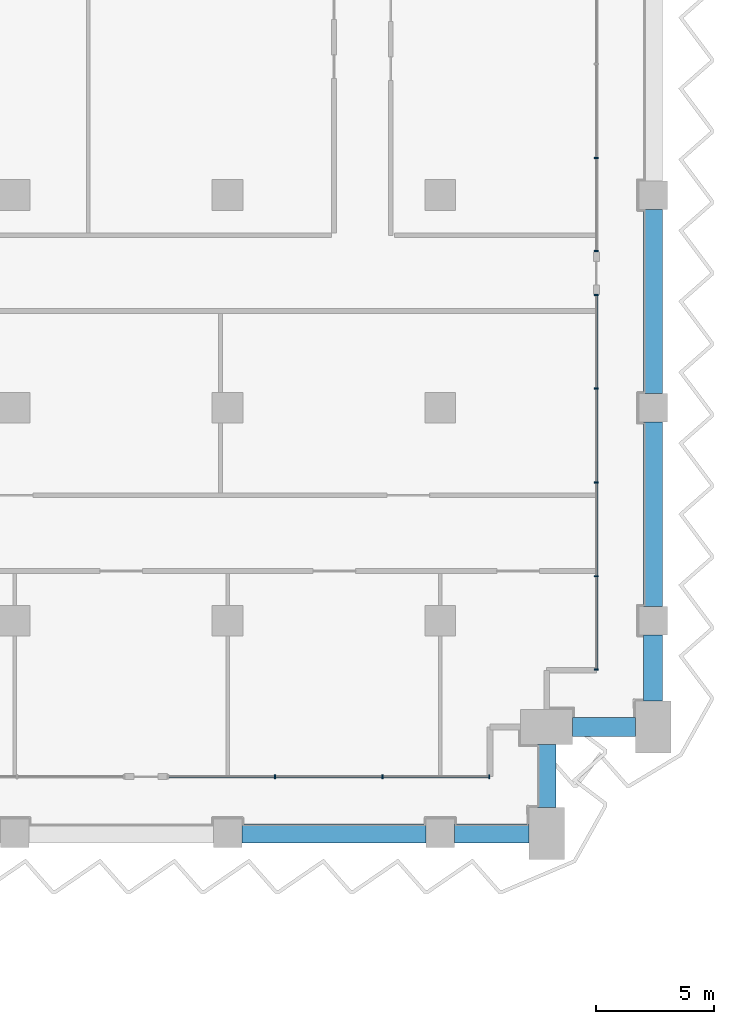
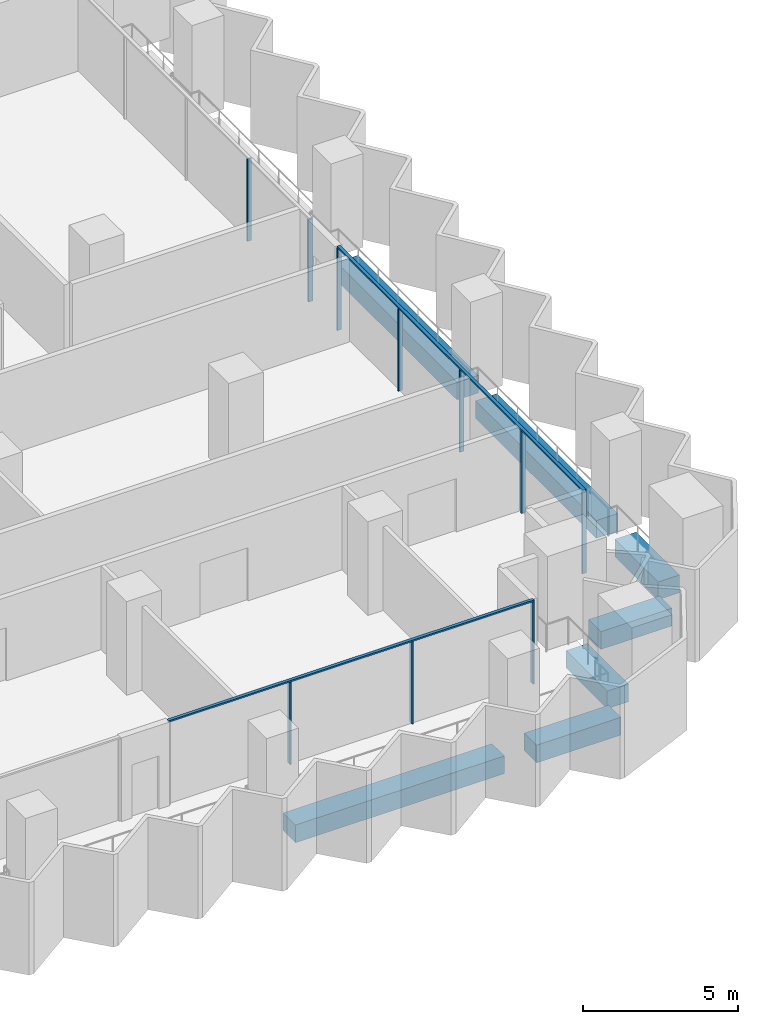
# One storey, part 5 of 23: 12 members, 7 beams, 3 elements without a shape of their own.
"""IFC4 building model written with IfcOpenShell, lengths in metres."""

from ifc_helpers import new_model, si_unit, direction, frame, origin, origin_2d, place, context, subcontext, project, spatial, rectangle, extrude, material, material_profile, profile_set, type_object, element, aggregate, save


model = new_model("IFC4")

# Units and contexts
model_context = context("Model", 3, precision=1e-05, world=origin(), true_north=direction((0.0, 1.0)))
body_context = subcontext(model_context, "Body", "Model", "MODEL_VIEW")
ifc_project = project(units=[si_unit("LENGTHUNIT", "METRE"), si_unit("AREAUNIT", "SQUARE_METRE"), si_unit("VOLUMEUNIT", "CUBIC_METRE"), si_unit("PLANEANGLEUNIT", "RADIAN"), si_unit("MASSUNIT", "GRAM", prefix="KILO")], contexts=[model_context])

# Site, building, storey
site_placement = place(None, origin())
site = spatial("IfcSite", under=ifc_project, at=site_placement, CompositionType="ELEMENT")
building_placement = place(site_placement, origin())
building = spatial("IfcBuilding", under=site, at=building_placement, Name="Hunhe Ridgeline Campus", CompositionType="ELEMENT")
storey_placement = place(building_placement, frame((0.0, 0.0, 110.699951171875)))
storey = spatial("IfcBuildingStorey", under=building, at=storey_placement, Name="L27", CompositionType="ELEMENT", Elevation=110.699951171875)

# Curtain wall, members
ifc_material_1 = material(Name="Aluminium 6063", Category="aluminium")
curtain_wall_type = type_object("IfcCurtainWallType", Name="Curtain wall CW-1", PredefinedType="NOTDEFINED", material=ifc_material_1)
curtain_wall_1_placement = place(storey_placement, origin())
curtain_wall_1 = element("IfcCurtainWall", 1, at=curtain_wall_1_placement, inside=storey, type_object=curtain_wall_type, Name="Curtain wall 14", PredefinedType="NOTDEFINED")
ifc_material_profile_1 = material_profile(ifc_material_1, rectangle(XDim=0.159912109375, YDim=0.06005859375, at=origin_2d()))
ifc_profile_set_1 = profile_set([ifc_material_profile_1], Name="Aluminium 6063")
member_type_1 = type_object("IfcMemberType", Name="CW-1 aluminium mullion", PredefinedType="MULLION", material=ifc_profile_set_1)
member_1_placement = place(storey_placement, frame((64.999267578125, 56.40087890625, 0.0), z_axis=(0.0, 0.0, 1.0), x_axis=(-1.4652e-07, 1.0, 0.0)))
member_1 = element("IfcMember", 2, at=member_1_placement, type_object=member_type_1, Name="CW-1 mullion 2", PredefinedType="MULLION", context=body_context, shape_type="SweptSolid", body=[
    extrude(rectangle(XDim=0.159912109375, YDim=0.06005859375, at=origin_2d()), origin(), (0.0, 0.0, 1.0), 3.239990234375),
])
member_2_placement = place(storey_placement, frame((69.549072265625, 56.40087890625, 0.0), z_axis=(0.0, 0.0, 1.0), x_axis=(-1.4652e-07, 1.0, 0.0)))
member_2 = element("IfcMember", 3, at=member_2_placement, type_object=member_type_1, Name="CW-1 mullion 3", PredefinedType="MULLION", context=body_context, shape_type="SweptSolid", body=[
    extrude(rectangle(XDim=0.159912109375, YDim=0.06005859375, at=origin_2d()), origin(), (0.0, 0.0, 1.0), 3.239990234375),
])
member_3_placement = place(storey_placement, frame((74.069091796875, 56.40087890625, 0.0), z_axis=(0.0, 0.0, 1.0), x_axis=(-1.4652e-07, 1.0, 0.0)))
member_3 = element("IfcMember", 4, at=member_3_placement, type_object=member_type_1, Name="CW-1 mullion 4", PredefinedType="MULLION", context=body_context, shape_type="SweptSolid", body=[
    extrude(rectangle(XDim=0.159912109375, YDim=0.06005859375, at=origin_2d()), origin(), (0.0, 0.0, 1.0), 3.239990234375),
])

curtain_wall_2_placement = place(storey_placement, origin())
curtain_wall_2 = element("IfcCurtainWall", 5, at=curtain_wall_2_placement, inside=storey, type_object=curtain_wall_type, Name="Curtain wall 15", PredefinedType="NOTDEFINED")
member_4_placement = place(storey_placement, frame((78.59912109375, 60.930908203125, 0.0), z_axis=(0.0, 0.0, 1.0), x_axis=(-1.0, 0.0, 0.0)))
member_4 = element("IfcMember", 6, at=member_4_placement, type_object=member_type_1, Name="CW-1 mullion 1", PredefinedType="MULLION", context=body_context, shape_type="SweptSolid", body=[
    extrude(rectangle(XDim=0.159912109375, YDim=0.06005859375, at=origin_2d()), origin(), (0.0, 0.0, 1.0), 3.239990234375),
])
member_5_placement = place(storey_placement, frame((78.59912109375, 64.8759765625, 0.0), z_axis=(0.0, 0.0, 1.0), x_axis=(-1.0, 0.0, 0.0)))
member_5 = element("IfcMember", 7, at=member_5_placement, type_object=member_type_1, Name="CW-1 mullion 2", PredefinedType="MULLION", context=body_context, shape_type="SweptSolid", body=[
    extrude(rectangle(XDim=0.159912109375, YDim=0.06005859375, at=origin_2d()), origin(), (0.0, 0.0, 1.0), 3.239990234375),
])
member_6_placement = place(storey_placement, frame((78.59912109375, 68.850830078125, 0.0), z_axis=(0.0, 0.0, 1.0), x_axis=(-1.0, 0.0, 0.0)))
member_6 = element("IfcMember", 8, at=member_6_placement, type_object=member_type_1, Name="CW-1 mullion 3", PredefinedType="MULLION", context=body_context, shape_type="SweptSolid", body=[
    extrude(rectangle(XDim=0.159912109375, YDim=0.06005859375, at=origin_2d()), origin(), (0.0, 0.0, 1.0), 3.239990234375),
])
member_7_placement = place(storey_placement, frame((78.59912109375, 72.82568359375, 0.0), z_axis=(0.0, 0.0, 1.0), x_axis=(-1.0, 0.0, 0.0)))
member_7 = element("IfcMember", 9, at=member_7_placement, type_object=member_type_1, Name="CW-1 mullion 4", PredefinedType="MULLION", context=body_context, shape_type="SweptSolid", body=[
    extrude(rectangle(XDim=0.159912109375, YDim=0.06005859375, at=origin_2d()), origin(), (0.0, 0.0, 1.0), 3.239990234375),
])
member_8_placement = place(storey_placement, frame((78.59912109375, 76.7705078125, 0.0), z_axis=(0.0, 0.0, 1.0), x_axis=(-1.0, 0.0, 0.0)))
member_8 = element("IfcMember", 10, at=member_8_placement, type_object=member_type_1, Name="CW-1 mullion 5", PredefinedType="MULLION", context=body_context, shape_type="SweptSolid", body=[
    extrude(rectangle(XDim=0.159912109375, YDim=0.06005859375, at=origin_2d()), origin(), (0.0, 0.0, 1.0), 3.239990234375),
])

curtain_wall_3_placement = place(storey_placement, origin())
curtain_wall_3 = element("IfcCurtainWall", 11, at=curtain_wall_3_placement, inside=storey, type_object=curtain_wall_type, Name="Curtain wall 16", PredefinedType="NOTDEFINED")
member_9_placement = place(storey_placement, frame((78.59912109375, 78.630615234375, 0.0), z_axis=(0.0, 0.0, 1.0), x_axis=(-1.0, 0.0, 0.0)))
member_9 = element("IfcMember", 12, at=member_9_placement, type_object=member_type_1, Name="CW-1 mullion 1", PredefinedType="MULLION", context=body_context, shape_type="SweptSolid", body=[
    extrude(rectangle(XDim=0.159912109375, YDim=0.06005859375, at=origin_2d()), origin(), (0.0, 0.0, 1.0), 3.239990234375),
])
member_10_placement = place(storey_placement, frame((78.59912109375, 82.575439453125, 0.0), z_axis=(0.0, 0.0, 1.0), x_axis=(-1.0, 0.0, 0.0)))
member_10 = element("IfcMember", 13, at=member_10_placement, type_object=member_type_1, Name="CW-1 mullion 2", PredefinedType="MULLION", context=body_context, shape_type="SweptSolid", body=[
    extrude(rectangle(XDim=0.159912109375, YDim=0.06005859375, at=origin_2d()), origin(), (0.0, 0.0, 1.0), 3.239990234375),
])
aggregate(curtain_wall_3, [member_9, member_10])

# Member
ifc_material_profile_2 = material_profile(ifc_material_1, rectangle(XDim=0.1201171875, YDim=0.06005859375, at=origin_2d()))
ifc_profile_set_2 = profile_set([ifc_material_profile_2], Name="Aluminium 6063")
member_type_2 = type_object("IfcMemberType", Name="CW-1 aluminium transom", PredefinedType="USERDEFINED", material=ifc_profile_set_2)
member_11_placement = place(storey_placement, frame((60.449462890625, 56.40087890625, 3.27001953125), z_axis=(1.0, 0.0, 0.0), x_axis=(0.0, 1.0, 0.0)))
member_11 = element("IfcMember", 14, at=member_11_placement, type_object=member_type_2, Name="CW-1 transom 1", ObjectType="TRANSOM", PredefinedType="USERDEFINED", context=body_context, shape_type="SweptSolid", body=[
    extrude(rectangle(XDim=0.1201171875, YDim=0.06005859375, at=origin_2d()), origin(), (0.0, 0.0, 1.0), 13.649658203125),
])

aggregate(curtain_wall_1, [member_11, member_1, member_2, member_3])

member_12_placement = place(storey_placement, frame((78.59912109375, 60.90087890625, 3.27001953125), z_axis=(0.0, 1.0, 0.0), x_axis=(-1.0, 0.0, 0.0)))
member_12 = element("IfcMember", 15, at=member_12_placement, type_object=member_type_2, Name="CW-1 transom 1", ObjectType="TRANSOM", PredefinedType="USERDEFINED", context=body_context, shape_type="SweptSolid", body=[
    extrude(rectangle(XDim=0.1201171875, YDim=0.06005859375, at=origin_2d()), origin(), (0.0, 0.0, 1.0), 15.899658203125),
])

aggregate(curtain_wall_2, [member_12, member_4, member_5, member_6, member_7, member_8])

# Beams
ifc_material_2 = material(Name="Concrete C60", Category="concrete")
ifc_material_profile_3 = material_profile(ifc_material_2, rectangle(XDim=0.800048828125, YDim=0.699951171875, at=origin_2d()))
ifc_profile_set_3 = profile_set([ifc_material_profile_3], Name="Concrete C60")
beam_type = type_object("IfcBeamType", Name="RC spandrel beam 800x700 Concrete C60", PredefinedType="SPANDREL", material=ifc_profile_set_3)
beam_1_placement = place(storey_placement, frame((63.60009765625, 54.0, -0.599853515625), z_axis=(1.0, 0.0, 0.0), x_axis=(0.0, 1.0, 0.0)))
element("IfcBeam", 16, at=beam_1_placement, inside=storey, type_object=beam_type, Name="Spandrel beam B1-14 L27", PredefinedType="SPANDREL", context=body_context, shape_type="SweptSolid", body=[
    extrude(rectangle(XDim=0.800048828125, YDim=0.699951171875, at=origin_2d()), origin(), (0.0, 0.0, 1.0), 7.7998046875),
])
beam_2_placement = place(storey_placement, frame((72.60009765625, 54.0, -0.599853515625), z_axis=(1.0, 0.0, 0.0), x_axis=(0.0, 1.0, 0.0)))
element("IfcBeam", 17, at=beam_2_placement, inside=storey, type_object=beam_type, Name="Spandrel beam B1-15 L27", PredefinedType="SPANDREL", context=body_context, shape_type="SweptSolid", body=[
    extrude(rectangle(XDim=0.800048828125, YDim=0.699951171875, at=origin_2d()), origin(), (0.0, 0.0, 1.0), 3.14990234375),
])
for number, where, z_axis, x_axis, name in (
    (18, (76.5, 55.10009765625, -0.599853515625), (0.0, 1.0, 0.0), (-1.0, 0.0, 0.0), "Spandrel beam B1-16 L27"),
    (19, (77.60009765625, 58.5, -0.599853515625), (1.0, 0.0, 0.0), (0.0, 1.0, 0.0), "Spandrel beam B1-17 L27"),
):
    element("IfcBeam", number, at=place(storey_placement, frame(where, z_axis=z_axis, x_axis=x_axis)), inside=storey, type_object=beam_type, Name=name, PredefinedType="SPANDREL", context=body_context, shape_type="SweptSolid", body=[
        extrude(rectangle(XDim=0.800048828125, YDim=0.699951171875, at=origin_2d()), origin(), (0.0, 0.0, 1.0), 2.64990234375),
    ])
beam_3_placement = place(storey_placement, frame((81.0, 59.60009765625, -0.599853515625), z_axis=(0.0, 1.0, 0.0), x_axis=(-1.0, 0.0, 0.0)))
element("IfcBeam", 20, at=beam_3_placement, inside=storey, type_object=beam_type, Name="Spandrel beam B1-18 L27", PredefinedType="SPANDREL", context=body_context, shape_type="SweptSolid", body=[
    extrude(rectangle(XDim=0.800048828125, YDim=0.699951171875, at=origin_2d()), origin(), (0.0, 0.0, 1.0), 2.7998046875),
])
for number, where, z_axis, x_axis, name in (
    (21, (81.0, 63.60009765625, -0.599853515625), (0.0, 1.0, 0.0), (-1.0, 0.0, 0.0), "Spandrel beam B1-19 L27"),
    (22, (81.0, 72.60009765625, -0.599853515625), (0.0, 1.0, 0.0), (-1.0, 0.0, 0.0), "Spandrel beam B1-20 L27"),
):
    element("IfcBeam", number, at=place(storey_placement, frame(where, z_axis=z_axis, x_axis=x_axis)), inside=storey, type_object=beam_type, Name=name, PredefinedType="SPANDREL", context=body_context, shape_type="SweptSolid", body=[
        extrude(rectangle(XDim=0.800048828125, YDim=0.699951171875, at=origin_2d()), origin(), (0.0, 0.0, 1.0), 7.7998046875),
    ])

save(model, "model.ifc")
